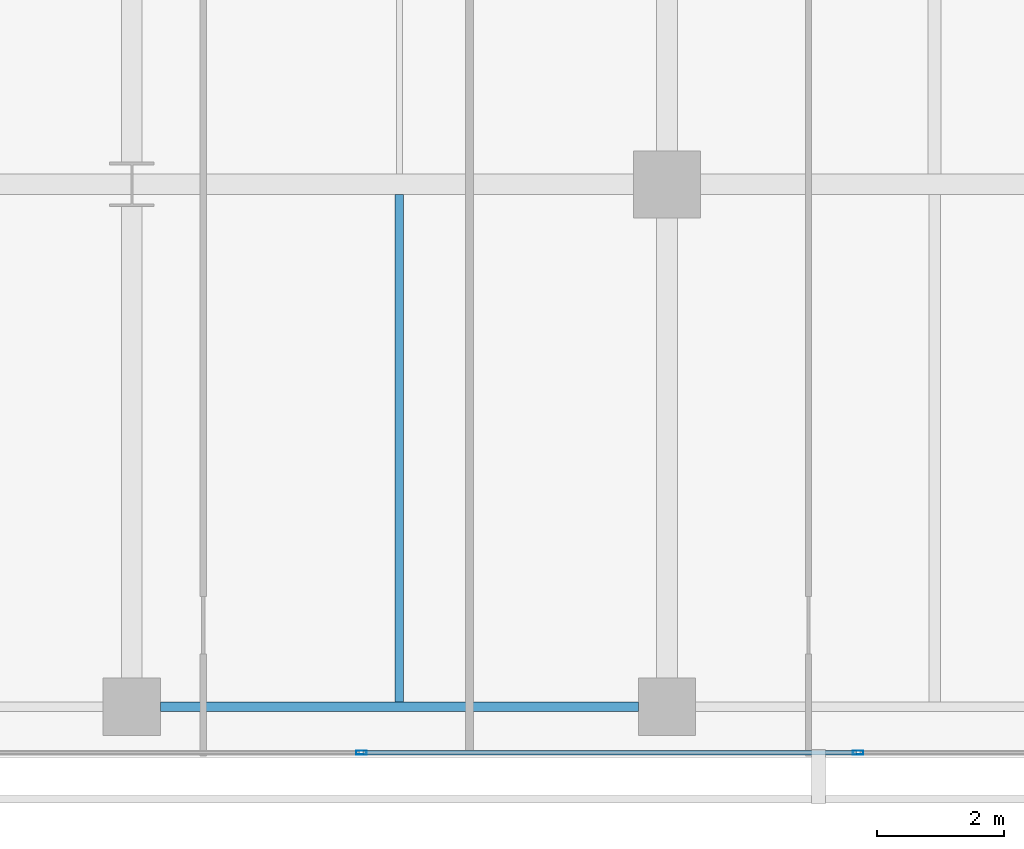
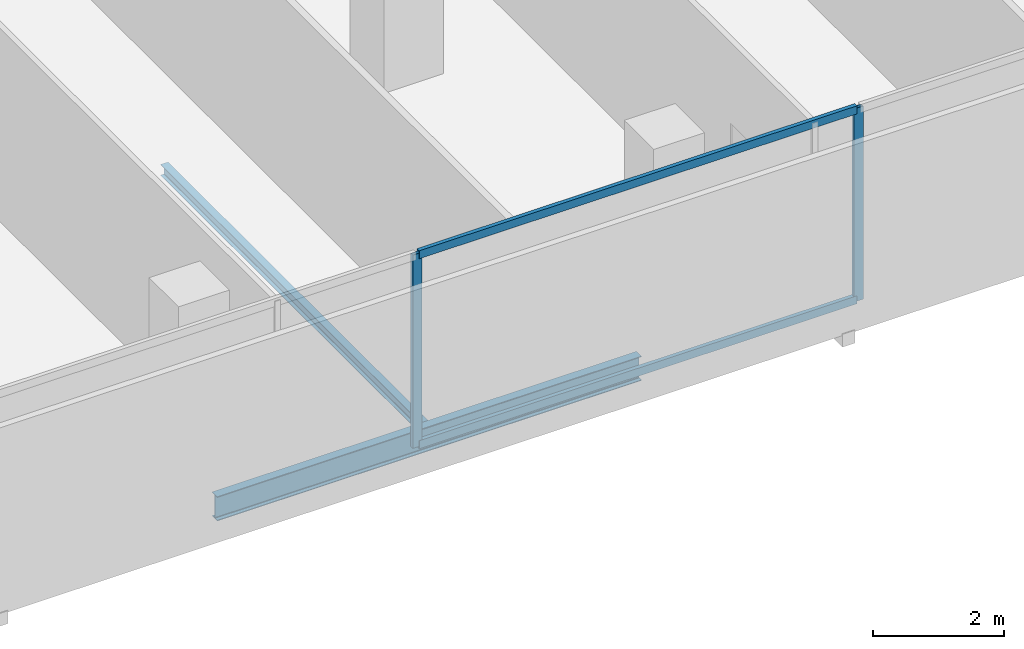
# One storey, part 14 of 40: 4 members, 2 beams, 1 element without a shape of its own.
"""IFC4 building model written with IfcOpenShell, lengths in metres."""

from ifc_helpers import new_model, si_unit, direction, frame, origin, origin_2d, place, context, subcontext, project, spatial, hollow_rectangle, i_section, extrude, material, layer, layer_set, material_profile, profile_set, type_object, element, aggregate, save


model = new_model("IFC4")

# Units and contexts
model_context = context("Model", 3, precision=1e-05, world=origin(), true_north=direction((0.0, 1.0)))
body_context = subcontext(model_context, "Body", "Model", "MODEL_VIEW")
ifc_project = project(units=[si_unit("LENGTHUNIT", "METRE"), si_unit("AREAUNIT", "SQUARE_METRE"), si_unit("VOLUMEUNIT", "CUBIC_METRE"), si_unit("PLANEANGLEUNIT", "RADIAN"), si_unit("MASSUNIT", "GRAM", prefix="KILO")], contexts=[model_context])

# Site, building, storey
site_placement = place(None, origin())
site = spatial("IfcSite", under=ifc_project, at=site_placement, CompositionType="ELEMENT")
building_placement = place(site_placement, origin())
building = spatial("IfcBuilding", under=site, at=building_placement, Name="Maruvema Waterfront Hotel and Observation Tower", CompositionType="ELEMENT")
storey_placement = place(building_placement, frame((0.0, 0.0, 100.10009765625)))
storey = spatial("IfcBuildingStorey", under=building, at=storey_placement, Name="L24", CompositionType="ELEMENT", Elevation=100.10009765625)

# Curtain wall, members
ifc_material_1 = material(Name="Anodised bronze aluminium and solar-control low-E IGU", Category="aluminium")
ifc_layer = layer(ifc_material_1, 0.159912109375, Name="Zone 1 Bronze Inner Thermal Curtain Wall System CW-02")
ifc_layer_set = layer_set([ifc_layer], Name="Anodised bronze aluminium and solar-control low-E IGU")
curtain_wall_type = type_object("IfcCurtainWallType", Name="Zone 1 Bronze Inner Thermal Curtain Wall System CW-02", PredefinedType="USERDEFINED", material=ifc_layer_set)
curtain_wall_placement = place(storey_placement, origin())
curtain_wall = element("IfcCurtainWall", 1, at=curtain_wall_placement, inside=storey, type_object=curtain_wall_type, Name="L24 Curtain Wall CW-L24-S", ObjectType="UNITISED CURTAIN WALL", PredefinedType="USERDEFINED")
ifc_material_2 = material(Name="Anodised architectural bronze aluminium", Category="aluminium")
ifc_material_profile_1 = material_profile(ifc_material_2, hollow_rectangle(XDim=0.070068359375, YDim=0.14990234375, WallThickness=0.00390625, at=origin_2d()), Name="ALU-T70x150")
ifc_profile_set_1 = profile_set([ifc_material_profile_1], Name="Anodised architectural bronze aluminium")
member_type_1 = type_object("IfcMemberType", Name="Curtain Wall Horizontal Transom ALU-T70x150", PredefinedType="USERDEFINED", material=ifc_profile_set_1)
member_1_placement = place(storey_placement, frame((45.6298828125, 0.080078125, 0.02978515625), z_axis=(1.0, 0.0, 0.0), x_axis=(0.0, 1.0, 0.0)))
member_1 = element("IfcMember", 2, at=member_1_placement, type_object=member_type_1, Name="CW-02 transom 5.1", ObjectType="TRANSOM", PredefinedType="USERDEFINED", context=body_context, shape_type="SweptSolid", body=[
    extrude(hollow_rectangle(XDim=0.070068359375, YDim=0.14990234375, WallThickness=0.00390625, at=origin_2d()), origin(), (0.0, 0.0, 1.0), 7.740234375),
])
member_2_placement = place(storey_placement, frame((45.6298828125, 0.080078125, 3.579833984375), z_axis=(1.0, 0.0, 0.0), x_axis=(0.0, 1.0, 0.0)))
member_2 = element("IfcMember", 3, at=member_2_placement, type_object=member_type_1, Name="CW-02 transom 5.2", ObjectType="TRANSOM", PredefinedType="USERDEFINED", context=body_context, shape_type="SweptSolid", body=[
    extrude(hollow_rectangle(XDim=0.070068359375, YDim=0.14990234375, WallThickness=0.00390625, at=origin_2d()), origin(), (0.0, 0.0, 1.0), 7.740234375),
])
ifc_material_3 = material(Name="Anodised architectural bronze aluminium", Category="aluminium")
ifc_material_profile_2 = material_profile(ifc_material_3, hollow_rectangle(XDim=0.06494140625, YDim=0.1650390625, WallThickness=0.00390625, at=origin_2d()), Name="ALU-M65x165")
ifc_profile_set_2 = profile_set([ifc_material_profile_2], Name="Anodised architectural bronze aluminium")
member_type_2 = type_object("IfcMemberType", Name="Curtain Wall Primary Mullion ALU-M65x165", PredefinedType="MULLION", material=ifc_profile_set_2)
member_3_placement = place(storey_placement, frame((45.60009765625, 0.080078125, 0.0), z_axis=(0.0, 0.0, 1.0), x_axis=(0.0, 1.0, 0.0)))
member_3 = element("IfcMember", 4, at=member_3_placement, type_object=member_type_2, Name="CW-02 mullion 5", PredefinedType="MULLION", context=body_context, shape_type="SweptSolid", body=[
    extrude(hollow_rectangle(XDim=0.06494140625, YDim=0.1650390625, WallThickness=0.00390625, at=origin_2d()), origin(), (0.0, 0.0, 1.0), 3.60986328125),
])
member_4_placement = place(storey_placement, frame((53.39990234375, 0.080078125, 0.0), z_axis=(0.0, 0.0, 1.0), x_axis=(0.0, 1.0, 0.0)))
member_4 = element("IfcMember", 5, at=member_4_placement, type_object=member_type_2, Name="CW-02 mullion 6", PredefinedType="MULLION", context=body_context, shape_type="SweptSolid", body=[
    extrude(hollow_rectangle(XDim=0.06494140625, YDim=0.1650390625, WallThickness=0.00390625, at=origin_2d()), origin(), (0.0, 0.0, 1.0), 3.60986328125),
])
aggregate(curtain_wall, [member_3, member_4, member_1, member_2])

# Beams
ifc_material_4 = material(Name="Steel ASTM A572 Grade 50", Category="steel")
ifc_material_profile_3 = material_profile(ifc_material_4, i_section(OverallWidth=0.153076171875, OverallDepth=0.455078125, WebThickness=0.008056640625, FlangeThickness=0.01318359375, FilletRadius=0.014892578125, at=origin_2d()), Name="W460x60.0")
ifc_profile_set_3 = profile_set([ifc_material_profile_3], Name="Steel ASTM A572 Grade 50")
beam_type_1 = type_object("IfcBeamType", Name="Perimeter Spandrel Beam W460x60.0", PredefinedType="SPANDREL", material=ifc_profile_set_3)
beam_1_placement = place(storey_placement, frame((42.449951171875, 0.800048828125, -0.467529296875), z_axis=(1.0, 0.0, 0.0), x_axis=(0.0, 1.0, 0.0)))
element("IfcBeam", 6, at=beam_1_placement, inside=storey, type_object=beam_type_1, Name="L24 Floor Girder EW-04", PredefinedType="SPANDREL", context=body_context, shape_type="SweptSolid", body=[
    extrude(i_section(OverallWidth=0.153076171875, OverallDepth=0.455078125, WebThickness=0.008056640625, FlangeThickness=0.01318359375, FilletRadius=0.014892578125, at=origin_2d()), origin(), (0.0, 0.0, 1.0), 7.5),
])
ifc_material_5 = material(Name="Steel ASTM A572 Grade 50", Category="steel")
ifc_material_profile_4 = material_profile(ifc_material_5, i_section(OverallWidth=0.133056640625, OverallDepth=0.20703125, WebThickness=0.005859375, FlangeThickness=0.00830078125, FilletRadius=0.010009765625, at=origin_2d()), Name="W200x26.6")
ifc_profile_set_4 = profile_set([ifc_material_profile_4], Name="Steel ASTM A572 Grade 50")
beam_type_2 = type_object("IfcBeamType", Name="Secondary Floor Joist W200x26.6", PredefinedType="JOIST", material=ifc_profile_set_4)
beam_2_placement = place(storey_placement, frame((46.199951171875, 0.87646484375, -0.343505859375), z_axis=(0.0, 1.0, 0.0), x_axis=(-1.0, 0.0, 0.0)))
element("IfcBeam", 7, at=beam_2_placement, inside=storey, type_object=beam_type_2, Name="L24 Secondary Floor Joist JS-14", PredefinedType="JOIST", context=body_context, shape_type="SweptSolid", body=[
    extrude(i_section(OverallWidth=0.133056640625, OverallDepth=0.20703125, WebThickness=0.005859375, FlangeThickness=0.00830078125, FilletRadius=0.010009765625, at=origin_2d()), origin(), (0.0, 0.0, 1.0), 7.96142578125),
])

save(model, "model.ifc")
